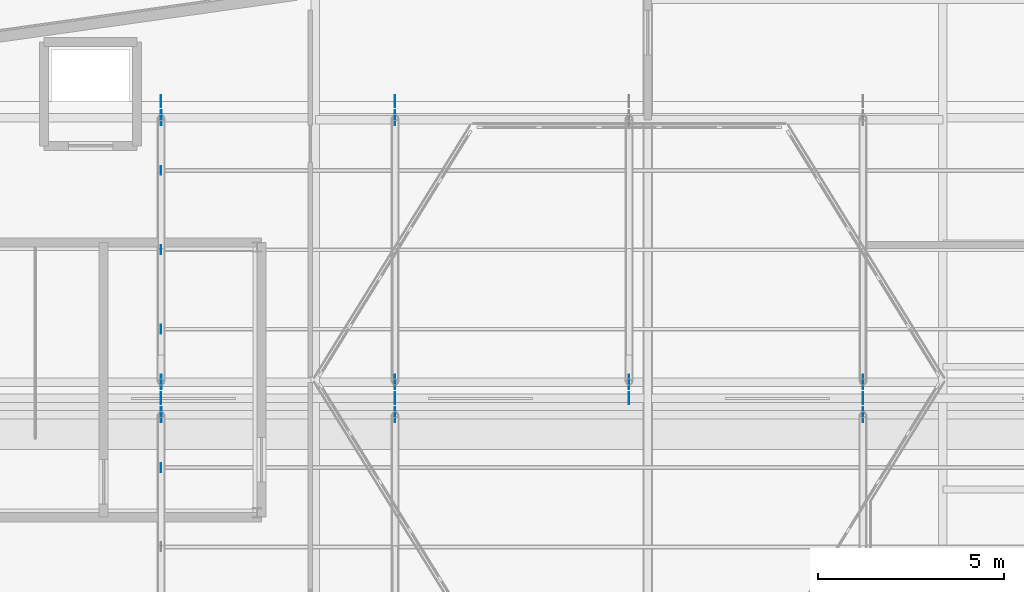
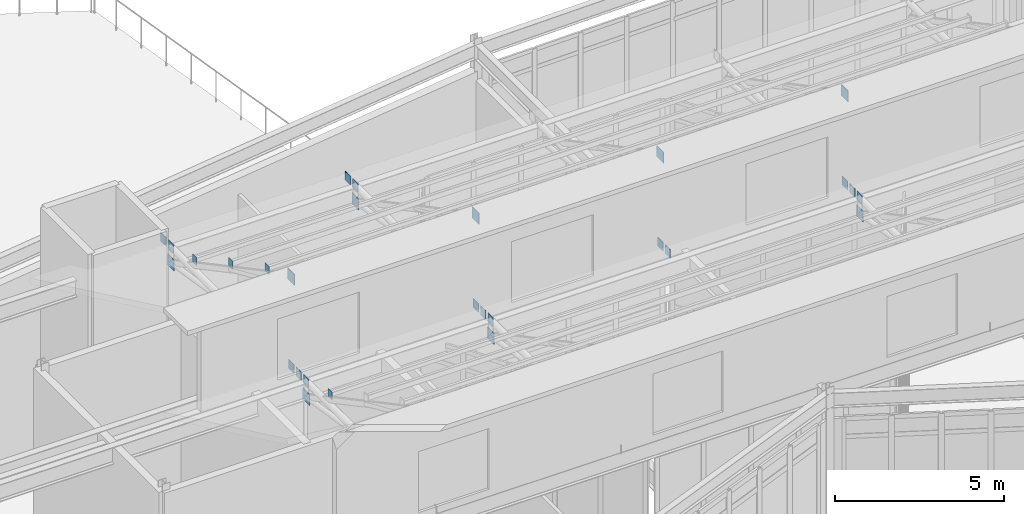
# One storey, part 52 of 66: 28 plates.
"""IFC4 building model written with IfcOpenShell, lengths in metres."""

from ifc_helpers import new_model, si_unit, direction, frame, origin, origin_2d, place, context, subcontext, project, spatial, rectangle, extrude, material, layer, layer_set, type_object, element, save


model = new_model("IFC4")

# Units and contexts
model_context = context("Model", 3, precision=1e-05, world=origin(), true_north=direction((0.0, 1.0)))
body_context = subcontext(model_context, "Body", "Model", "MODEL_VIEW")
ifc_project = project(units=[si_unit("LENGTHUNIT", "METRE"), si_unit("AREAUNIT", "SQUARE_METRE"), si_unit("VOLUMEUNIT", "CUBIC_METRE"), si_unit("PLANEANGLEUNIT", "RADIAN"), si_unit("MASSUNIT", "GRAM", prefix="KILO")], contexts=[model_context])

# Site, building, storey
site_placement = place(None, origin())
site = spatial("IfcSite", under=ifc_project, at=site_placement, CompositionType="ELEMENT")
building_placement = place(site_placement, origin())
building = spatial("IfcBuilding", under=site, at=building_placement, Name="Tameran Prism Museum", CompositionType="ELEMENT")
storey_placement = place(building_placement, frame((0.0, 0.0, 19.800048828125)))
storey = spatial("IfcBuildingStorey", under=building, at=storey_placement, Name="L04", CompositionType="ELEMENT", Elevation=19.800048828125)

# Plates
ifc_material_1 = material(Name="Steel Grade 350 (350 MPa)", Category="steel")
ifc_layer_1 = layer(ifc_material_1, 0.01611328125)
ifc_layer_set_1 = layer_set([ifc_layer_1])
plate_type_1 = type_object("IfcPlateType", Name="PL-CAP-16", PredefinedType="USERDEFINED", material=ifc_layer_set_1)
plate_placement = place(storey_placement, frame((64.39208984375, 34.135986328125, 9.0361328125), z_axis=(0.0, 0.0, 1.0), x_axis=(1.0, 0.0, 0.0)))
element("IfcPlate", 1, at=plate_placement, inside=storey, type_object=plate_type_1, Name="Purlin End Cap Plate PR-033 W", ObjectType="GUSSET PLATE", PredefinedType="USERDEFINED", context=body_context, shape_type="SweptSolid", body=[
    extrude(rectangle(XDim=0.01611328125, YDim=0.239990234375, at=origin_2d()), origin(), (0.0, 0.0, 1.0), 0.280029296875),
])
for number, where, z_axis, x_axis, name in (
    (2, (64.39990234375, 35.56005859375, 8.6259765625), (0.0, 0.0, 1.0), (1.0, 0.0, 0.0), "Truss Node Gusset Plate GP-0128"),
    (3, (64.39990234375, 36.0, 8.6259765625), (0.0, 0.0, 1.0), (1.0, 0.0, 0.0), "Truss Node Gusset Plate GP-0130"),
    (4, (70.699951171875, 35.56005859375, 8.6259765625), (0.0, 0.0, 1.0), (1.0, 0.0, 0.0), "Truss Node Gusset Plate GP-0134"),
    (5, (70.699951171875, 36.0, 8.6259765625), (0.0, 0.0, 1.0), (1.0, 0.0, 0.0), "Truss Node Gusset Plate GP-0136"),
    (6, (83.300048828125, 35.56005859375, 8.6259765625), (0.0, 0.0, 1.0), (1.0, 0.0, 0.0), "Truss Node Gusset Plate GP-0140"),
    (7, (83.300048828125, 36.0, 8.6259765625), (0.0, 0.0, 1.0), (1.0, 0.0, 0.0), "Truss Node Gusset Plate GP-0142"),
):
    element("IfcPlate", number, at=place(storey_placement, frame(where, z_axis=z_axis, x_axis=x_axis)), inside=storey, type_object=plate_type_1, Name=name, ObjectType="GUSSET PLATE", PredefinedType="USERDEFINED", context=body_context, shape_type="SweptSolid", body=[
        extrude(rectangle(XDim=0.01611328125, YDim=0.320068359375, at=origin_2d()), origin(), (0.0, 0.0, 1.0), 0.320068359375),
    ])
for number, where, z_axis, x_axis, name in (
    (8, (64.39208984375, 37.864013671875, 11.31591796875), (0.0, 0.0, 1.0), (1.0, 0.0, 0.0), "Purlin End Cap Plate PR-037 W"),
    (9, (64.39208984375, 40.0, 10.2041015625), (0.0, 0.0, 1.0), (1.0, 0.0, 0.0), "Purlin End Cap Plate PR-038 W"),
    (10, (64.39208984375, 42.135986328125, 9.0361328125), (0.0, 0.0, 1.0), (1.0, 0.0, 0.0), "Purlin End Cap Plate PR-039 W"),
):
    element("IfcPlate", number, at=place(storey_placement, frame(where, z_axis=z_axis, x_axis=x_axis)), inside=storey, type_object=plate_type_1, Name=name, ObjectType="GUSSET PLATE", PredefinedType="USERDEFINED", context=body_context, shape_type="SweptSolid", body=[
        extrude(rectangle(XDim=0.01611328125, YDim=0.239990234375, at=origin_2d()), origin(), (0.0, 0.0, 1.0), 0.280029296875),
    ])
for number, where, z_axis, x_axis, name in (
    (11, (64.39990234375, 36.43994140625, 8.6259765625), (0.0, 0.0, 1.0), (1.0, 0.0, 0.0), "Truss Node Gusset Plate GP-0151"),
    (12, (64.39990234375, 43.56005859375, 8.6259765625), (0.0, 0.0, 1.0), (1.0, 0.0, 0.0), "Truss Node Gusset Plate GP-0152"),
    (13, (64.39990234375, 44.0, 8.6259765625), (0.0, 0.0, 1.0), (1.0, 0.0, 0.0), "Truss Node Gusset Plate GP-0153"),
    (14, (70.699951171875, 36.43994140625, 8.6259765625), (0.0, 0.0, 1.0), (1.0, 0.0, 0.0), "Truss Node Gusset Plate GP-0156"),
    (15, (70.699951171875, 43.56005859375, 8.6259765625), (0.0, 0.0, 1.0), (1.0, 0.0, 0.0), "Truss Node Gusset Plate GP-0157"),
    (16, (70.699951171875, 44.0, 8.6259765625), (0.0, 0.0, 1.0), (1.0, 0.0, 0.0), "Truss Node Gusset Plate GP-0158"),
    (17, (77.0, 36.43994140625, 8.6259765625), (0.0, 0.0, 1.0), (1.0, 0.0, 0.0), "Truss Node Gusset Plate GP-0161"),
    (18, (77.0, 36.0, 8.6259765625), (0.0, 0.0, 1.0), (1.0, 0.0, 0.0), "Truss Node Gusset Plate GP-0163"),
    (19, (83.300048828125, 36.43994140625, 8.6259765625), (0.0, 0.0, 1.0), (1.0, 0.0, 0.0), "Truss Node Gusset Plate GP-0167"),
):
    element("IfcPlate", number, at=place(storey_placement, frame(where, z_axis=z_axis, x_axis=x_axis)), inside=storey, type_object=plate_type_1, Name=name, ObjectType="GUSSET PLATE", PredefinedType="USERDEFINED", context=body_context, shape_type="SweptSolid", body=[
        extrude(rectangle(XDim=0.01611328125, YDim=0.320068359375, at=origin_2d()), origin(), (0.0, 0.0, 1.0), 0.320068359375),
    ])
ifc_material_2 = material(Name="Steel Grade 350 (350 MPa)", Category="steel")
ifc_layer_2 = layer(ifc_material_2, 0.02001953125)
ifc_layer_set_2 = layer_set([ifc_layer_2])
plate_type_2 = type_object("IfcPlateType", Name="PL-GUS-20", PredefinedType="USERDEFINED", material=ifc_layer_set_2)
for number, where, z_axis, x_axis, name in (
    (20, (64.39990234375, 35.56005859375, 8.02392578125), (0.0, 0.0, 1.0), (1.0, 0.0, 0.0), "Truss Node Gusset Plate GP-0126"),
    (21, (70.699951171875, 35.56005859375, 8.02392578125), (0.0, 0.0, 1.0), (1.0, 0.0, 0.0), "Truss Node Gusset Plate GP-0132"),
    (22, (83.300048828125, 35.56005859375, 8.02392578125), (0.0, 0.0, 1.0), (1.0, 0.0, 0.0), "Truss Node Gusset Plate GP-0138"),
    (23, (64.39990234375, 36.43994140625, 11.823974609375), (0.0, 0.0, 1.0), (1.0, 0.0, 0.0), "Truss Node Gusset Plate GP-0149"),
    (24, (64.39990234375, 43.56005859375, 8.02392578125), (0.0, 0.0, 1.0), (1.0, 0.0, 0.0), "Truss Node Gusset Plate GP-0150"),
    (25, (70.699951171875, 36.43994140625, 11.823974609375), (0.0, 0.0, 1.0), (1.0, 0.0, 0.0), "Truss Node Gusset Plate GP-0154"),
    (26, (70.699951171875, 43.56005859375, 8.02392578125), (0.0, 0.0, 1.0), (1.0, 0.0, 0.0), "Truss Node Gusset Plate GP-0155"),
    (27, (77.0, 36.43994140625, 11.823974609375), (0.0, 0.0, 1.0), (1.0, 0.0, 0.0), "Truss Node Gusset Plate GP-0159"),
    (28, (83.300048828125, 36.43994140625, 11.823974609375), (0.0, 0.0, 1.0), (1.0, 0.0, 0.0), "Truss Node Gusset Plate GP-0165"),
):
    element("IfcPlate", number, at=place(storey_placement, frame(where, z_axis=z_axis, x_axis=x_axis)), inside=storey, type_object=plate_type_2, Name=name, ObjectType="GUSSET PLATE", PredefinedType="USERDEFINED", context=body_context, shape_type="SweptSolid", body=[
        extrude(rectangle(XDim=0.02001953125, YDim=0.39990234375, at=origin_2d()), origin(), (0.0, 0.0, 1.0), 0.39990234375),
    ])

save(model, "model.ifc")
